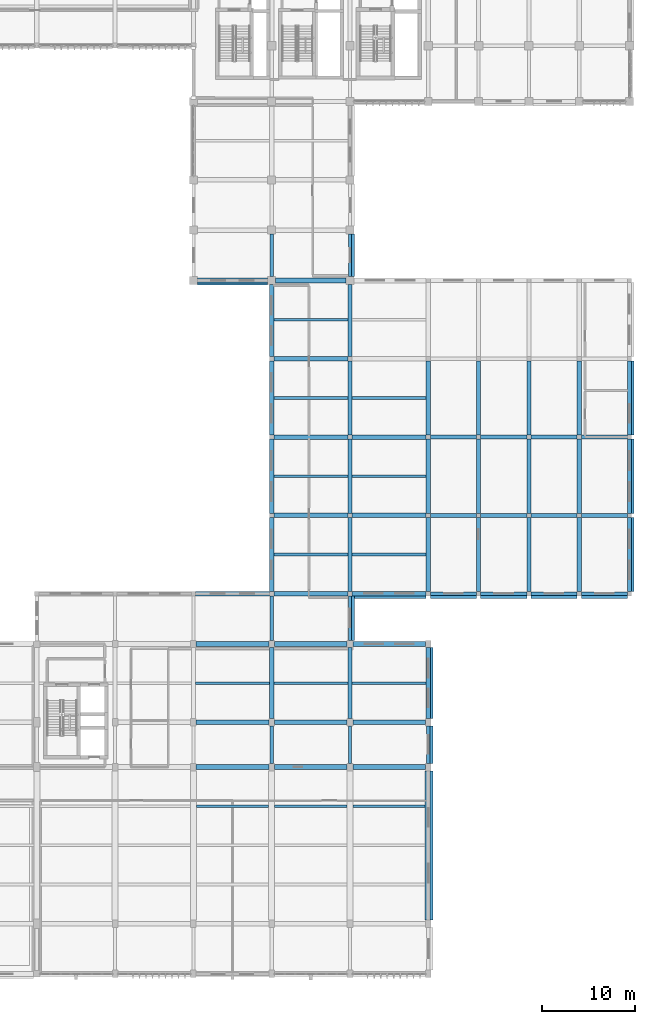
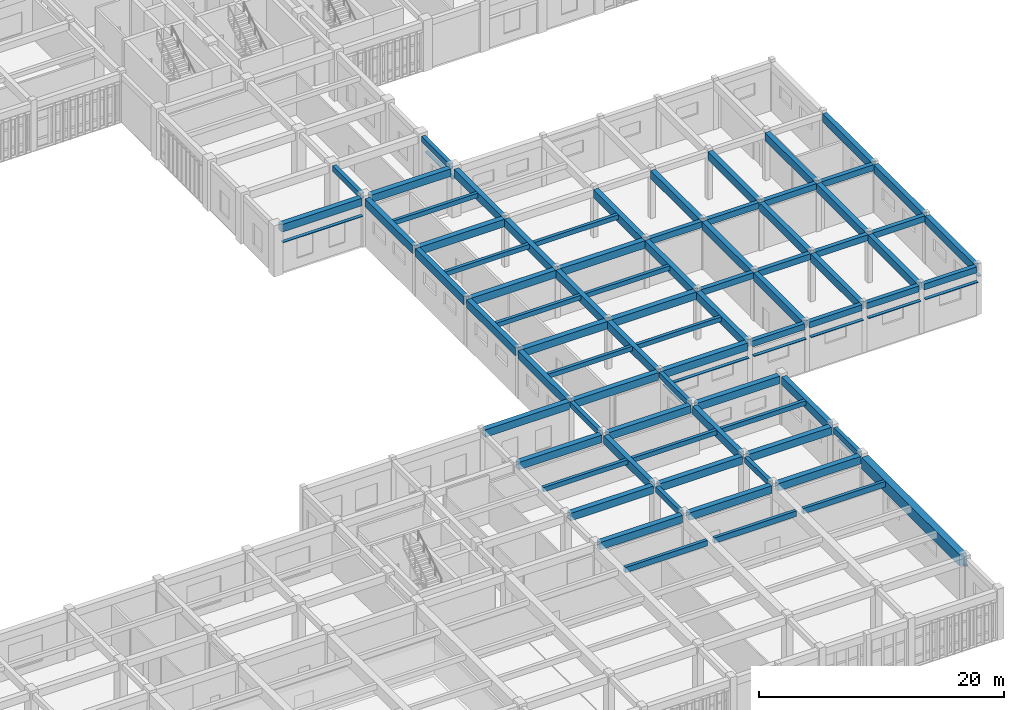
# One storey, part 57 of 106: 78 beams, 14 members.
"""IFC4 building model written with IfcOpenShell, lengths in metres."""

from ifc_helpers import new_model, si_unit, direction, frame, origin, origin_2d, place, context, subcontext, project, spatial, rectangle, hollow_rectangle, extrude, material, material_profile, profile_set, type_object, element, save


model = new_model("IFC4")

# Units and contexts
model_context = context("Model", 3, precision=1e-05, world=origin(), true_north=direction((0.0, 1.0)))
body_context = subcontext(model_context, "Body", "Model", "MODEL_VIEW")
ifc_project = project(units=[si_unit("LENGTHUNIT", "METRE"), si_unit("AREAUNIT", "SQUARE_METRE"), si_unit("VOLUMEUNIT", "CUBIC_METRE"), si_unit("PLANEANGLEUNIT", "RADIAN"), si_unit("MASSUNIT", "GRAM", prefix="KILO")], contexts=[model_context])

# Site, building, storey
site_placement = place(None, origin())
site = spatial("IfcSite", under=ifc_project, at=site_placement, CompositionType="ELEMENT")
building_placement = place(site_placement, origin())
building = spatial("IfcBuilding", under=site, at=building_placement, Name="Krzemoval Escarpment Law Courts", CompositionType="ELEMENT")
storey_placement = place(building_placement, frame((0.0, 0.0, 5.10009765625)))
storey = spatial("IfcBuildingStorey", under=building, at=storey_placement, Name="L01", CompositionType="ELEMENT", Elevation=5.10009765625)

# Beams
ifc_material_1 = material(Name="Concrete C50/60", Category="concrete")
ifc_material_profile_1 = material_profile(ifc_material_1, rectangle(XDim=0.64990234375, YDim=1.14990234375, at=origin_2d()), Name="PTG 650x1150")
ifc_profile_set_1 = profile_set([ifc_material_profile_1], Name="Concrete C50/60")
beam_type_1 = type_object("IfcBeamType", Name="BM-PTG-650x1150", PredefinedType="BEAM", material=ifc_profile_set_1)
beam_1_placement = place(storey_placement, frame((151.199951171875, 5.800048828125, 4.244873046875), z_axis=(0.0, 1.0, 0.0), x_axis=(-1.0, 0.0, 0.0)))
element("IfcBeam", 1, at=beam_1_placement, inside=storey, type_object=beam_type_1, Name="Beam FG-L01-1553", PredefinedType="BEAM", context=body_context, shape_type="SweptSolid", body=[
    extrude(rectangle(XDim=0.64990234375, YDim=1.14990234375, at=origin_2d()), origin(), (0.0, 0.0, 1.0), 16.0),
])
ifc_material_2 = material(Name="Concrete C40/50", Category="concrete")
ifc_material_profile_2 = material_profile(ifc_material_2, rectangle(XDim=0.35009765625, YDim=0.550048828125, at=origin_2d()), Name="RCB 350x550")
ifc_profile_set_2 = profile_set([ifc_material_profile_2], Name="Concrete C40/50")
beam_type_2 = type_object("IfcBeamType", Name="BM-RC-350x550", PredefinedType="BEAM", material=ifc_profile_set_2)
beam_2_placement = place(storey_placement, frame((134.39990234375, 22.60009765625, 4.544921875), z_axis=(0.0, 1.0, 0.0), x_axis=(-1.0, 0.0, 0.0)))
element("IfcBeam", 2, at=beam_2_placement, inside=storey, type_object=beam_type_2, Name="Beam FG-L01-1522", PredefinedType="BEAM", context=body_context, shape_type="SweptSolid", body=[
    extrude(rectangle(XDim=0.35009765625, YDim=0.550048828125, at=origin_2d()), origin(), (0.0, 0.0, 1.0), 4.0),
])
beam_3_placement = place(storey_placement, frame((134.39990234375, 35.800048828125, 4.544921875), z_axis=(0.0, 1.0, 0.0), x_axis=(-1.0, 0.0, 0.0)))
element("IfcBeam", 3, at=beam_3_placement, inside=storey, type_object=beam_type_2, Name="Beam FG-L01-1524", PredefinedType="BEAM", context=body_context, shape_type="SweptSolid", body=[
    extrude(rectangle(XDim=0.35009765625, YDim=0.550048828125, at=origin_2d()), origin(), (0.0, 0.0, 1.0), 4.77490234375),
])
beam_4_placement = place(storey_placement, frame((134.39990234375, 74.824951171875, 4.544921875), z_axis=(0.0, 1.0, 0.0), x_axis=(-1.0, 0.0, 0.0)))
element("IfcBeam", 4, at=beam_4_placement, inside=storey, type_object=beam_type_2, Name="Beam FG-L01-1529", PredefinedType="BEAM", context=body_context, shape_type="SweptSolid", body=[
    extrude(rectangle(XDim=0.35009765625, YDim=0.550048828125, at=origin_2d()), origin(), (0.0, 0.0, 1.0), 4.550048828125),
])
beam_5_placement = place(storey_placement, frame((142.800048828125, 22.60009765625, 4.544921875), z_axis=(0.0, 1.0, 0.0), x_axis=(-1.0, 0.0, 0.0)))
element("IfcBeam", 5, at=beam_5_placement, inside=storey, type_object=beam_type_2, Name="Beam FG-L01-1538", PredefinedType="BEAM", context=body_context, shape_type="SweptSolid", body=[
    extrude(rectangle(XDim=0.35009765625, YDim=0.550048828125, at=origin_2d()), origin(), (0.0, 0.0, 1.0), 4.0),
])
beam_6_placement = place(storey_placement, frame((142.800048828125, 35.800048828125, 4.544921875), z_axis=(0.0, 1.0, 0.0), x_axis=(-1.0, 0.0, 0.0)))
element("IfcBeam", 6, at=beam_6_placement, inside=storey, type_object=beam_type_2, Name="Beam FG-L01-1540", PredefinedType="BEAM", context=body_context, shape_type="SweptSolid", body=[
    extrude(rectangle(XDim=0.35009765625, YDim=0.550048828125, at=origin_2d()), origin(), (0.0, 0.0, 1.0), 4.77490234375),
])
beam_7_placement = place(storey_placement, frame((142.800048828125, 74.824951171875, 4.544921875), z_axis=(0.0, 1.0, 0.0), x_axis=(-1.0, 0.0, 0.0)))
element("IfcBeam", 7, at=beam_7_placement, inside=storey, type_object=beam_type_2, Name="Beam FG-L01-1545", PredefinedType="BEAM", context=body_context, shape_type="SweptSolid", body=[
    extrude(rectangle(XDim=0.35009765625, YDim=0.550048828125, at=origin_2d()), origin(), (0.0, 0.0, 1.0), 4.550048828125),
])
beam_8_placement = place(storey_placement, frame((151.199951171875, 22.60009765625, 4.544921875), z_axis=(0.0, 1.0, 0.0), x_axis=(-1.0, 0.0, 0.0)))
element("IfcBeam", 8, at=beam_8_placement, inside=storey, type_object=beam_type_2, Name="Beam FG-L01-1554", PredefinedType="BEAM", context=body_context, shape_type="SweptSolid", body=[
    extrude(rectangle(XDim=0.35009765625, YDim=0.550048828125, at=origin_2d()), origin(), (0.0, 0.0, 1.0), 4.0),
])
ifc_material_3 = material(Name="Concrete C40/50", Category="concrete")
ifc_material_profile_3 = material_profile(ifc_material_3, rectangle(XDim=0.39990234375, YDim=0.60009765625, at=origin_2d()), Name="RCB 400x600")
ifc_profile_set_3 = profile_set([ifc_material_profile_3], Name="Concrete C40/50")
beam_type_3 = type_object("IfcBeamType", Name="BM-RC-400x600", PredefinedType="BEAM", material=ifc_profile_set_3)
for number, where, z_axis, x_axis, name in (
    (9, (151.425048828125, 40.800048828125, 4.52001953125), (1.0, 0.0, 0.0), (0.0, 1.0, 0.0), "Beam FG-L01-1241"),
    (10, (156.824951171875, 40.800048828125, 4.52001953125), (1.0, 0.0, 0.0), (0.0, 1.0, 0.0), "Beam FG-L01-1242"),
    (11, (162.22509765625, 40.800048828125, 4.52001953125), (1.0, 0.0, 0.0), (0.0, 1.0, 0.0), "Beam FG-L01-1243"),
    (12, (167.625, 40.800048828125, 4.52001953125), (1.0, 0.0, 0.0), (0.0, 1.0, 0.0), "Beam FG-L01-1244"),
    (13, (151.425048828125, 49.199951171875, 4.52001953125), (1.0, 0.0, 0.0), (0.0, 1.0, 0.0), "Beam FG-L01-1251"),
    (14, (156.824951171875, 49.199951171875, 4.52001953125), (1.0, 0.0, 0.0), (0.0, 1.0, 0.0), "Beam FG-L01-1252"),
    (15, (162.22509765625, 49.199951171875, 4.52001953125), (1.0, 0.0, 0.0), (0.0, 1.0, 0.0), "Beam FG-L01-1253"),
    (16, (167.625, 49.199951171875, 4.52001953125), (1.0, 0.0, 0.0), (0.0, 1.0, 0.0), "Beam FG-L01-1254"),
    (17, (151.425048828125, 57.60009765625, 4.52001953125), (1.0, 0.0, 0.0), (0.0, 1.0, 0.0), "Beam FG-L01-1259"),
    (18, (156.824951171875, 57.60009765625, 4.52001953125), (1.0, 0.0, 0.0), (0.0, 1.0, 0.0), "Beam FG-L01-1260"),
    (19, (162.22509765625, 57.60009765625, 4.52001953125), (1.0, 0.0, 0.0), (0.0, 1.0, 0.0), "Beam FG-L01-1261"),
    (20, (167.625, 57.60009765625, 4.52001953125), (1.0, 0.0, 0.0), (0.0, 1.0, 0.0), "Beam FG-L01-1262"),
):
    element("IfcBeam", number, at=place(storey_placement, frame(where, z_axis=z_axis, x_axis=x_axis)), inside=storey, type_object=beam_type_3, Name=name, PredefinedType="BEAM", context=body_context, shape_type="SweptSolid", body=[
        extrude(rectangle(XDim=0.39990234375, YDim=0.60009765625, at=origin_2d()), origin(), (0.0, 0.0, 1.0), 4.949951171875),
    ])
ifc_material_4 = material(Name="Concrete C40/50", Category="concrete")
ifc_material_profile_4 = material_profile(ifc_material_4, rectangle(XDim=0.449951171875, YDim=0.800048828125, at=origin_2d()), Name="RCB 450x800")
ifc_profile_set_4 = profile_set([ifc_material_profile_4], Name="Concrete C40/50")
beam_type_4 = type_object("IfcBeamType", Name="BM-RC-450x800", PredefinedType="BEAM", material=ifc_profile_set_4)
beam_9_placement = place(storey_placement, frame((134.39990234375, 27.39990234375, 4.419921875), z_axis=(0.0, 1.0, 0.0), x_axis=(-1.0, 0.0, 0.0)))
element("IfcBeam", 21, at=beam_9_placement, inside=storey, type_object=beam_type_4, Name="Beam FG-L01-1523", PredefinedType="BEAM", context=body_context, shape_type="SweptSolid", body=[
    extrude(rectangle(XDim=0.449951171875, YDim=0.800048828125, at=origin_2d()), origin(), (0.0, 0.0, 1.0), 7.60009765625),
])
beam_10_placement = place(storey_placement, frame((134.39990234375, 41.02490234375, 4.419921875), z_axis=(0.0, 1.0, 0.0), x_axis=(-1.0, 0.0, 0.0)))
element("IfcBeam", 22, at=beam_10_placement, inside=storey, type_object=beam_type_4, Name="Beam FG-L01-1525", PredefinedType="BEAM", context=body_context, shape_type="SweptSolid", body=[
    extrude(rectangle(XDim=0.449951171875, YDim=0.800048828125, at=origin_2d()), origin(), (0.0, 0.0, 1.0), 7.9501953125),
])
for number, where, z_axis, x_axis, name in (
    (23, (134.39990234375, 49.425048828125, 4.419921875), (0.0, 1.0, 0.0), (-1.0, 0.0, 0.0), "Beam FG-L01-1526"),
    (24, (134.39990234375, 57.824951171875, 4.419921875), (0.0, 1.0, 0.0), (-1.0, 0.0, 0.0), "Beam FG-L01-1527"),
):
    element("IfcBeam", number, at=place(storey_placement, frame(where, z_axis=z_axis, x_axis=x_axis)), inside=storey, type_object=beam_type_4, Name=name, PredefinedType="BEAM", context=body_context, shape_type="SweptSolid", body=[
        extrude(rectangle(XDim=0.449951171875, YDim=0.800048828125, at=origin_2d()), origin(), (0.0, 0.0, 1.0), 7.949951171875),
    ])
beam_11_placement = place(storey_placement, frame((134.39990234375, 66.22509765625, 4.419921875), z_axis=(0.0, 1.0, 0.0), x_axis=(-1.0, 0.0, 0.0)))
element("IfcBeam", 25, at=beam_11_placement, inside=storey, type_object=beam_type_4, Name="Beam FG-L01-1528", PredefinedType="BEAM", context=body_context, shape_type="SweptSolid", body=[
    extrude(rectangle(XDim=0.449951171875, YDim=0.800048828125, at=origin_2d()), origin(), (0.0, 0.0, 1.0), 7.75),
])
beam_12_placement = place(storey_placement, frame((142.800048828125, 27.39990234375, 4.419921875), z_axis=(0.0, 1.0, 0.0), x_axis=(-1.0, 0.0, 0.0)))
element("IfcBeam", 26, at=beam_12_placement, inside=storey, type_object=beam_type_4, Name="Beam FG-L01-1539", PredefinedType="BEAM", context=body_context, shape_type="SweptSolid", body=[
    extrude(rectangle(XDim=0.449951171875, YDim=0.800048828125, at=origin_2d()), origin(), (0.0, 0.0, 1.0), 7.60009765625),
])
beam_13_placement = place(storey_placement, frame((142.800048828125, 41.02490234375, 4.419921875), z_axis=(0.0, 1.0, 0.0), x_axis=(-1.0, 0.0, 0.0)))
element("IfcBeam", 27, at=beam_13_placement, inside=storey, type_object=beam_type_4, Name="Beam FG-L01-1541", PredefinedType="BEAM", context=body_context, shape_type="SweptSolid", body=[
    extrude(rectangle(XDim=0.449951171875, YDim=0.800048828125, at=origin_2d()), origin(), (0.0, 0.0, 1.0), 7.9501953125),
])
for number, where, z_axis, x_axis, name in (
    (28, (142.800048828125, 49.425048828125, 4.419921875), (0.0, 1.0, 0.0), (-1.0, 0.0, 0.0), "Beam FG-L01-1542"),
    (29, (142.800048828125, 57.824951171875, 4.419921875), (0.0, 1.0, 0.0), (-1.0, 0.0, 0.0), "Beam FG-L01-1543"),
):
    element("IfcBeam", number, at=place(storey_placement, frame(where, z_axis=z_axis, x_axis=x_axis)), inside=storey, type_object=beam_type_4, Name=name, PredefinedType="BEAM", context=body_context, shape_type="SweptSolid", body=[
        extrude(rectangle(XDim=0.449951171875, YDim=0.800048828125, at=origin_2d()), origin(), (0.0, 0.0, 1.0), 7.949951171875),
    ])
beam_14_placement = place(storey_placement, frame((142.800048828125, 66.22509765625, 4.419921875), z_axis=(0.0, 1.0, 0.0), x_axis=(-1.0, 0.0, 0.0)))
element("IfcBeam", 30, at=beam_14_placement, inside=storey, type_object=beam_type_4, Name="Beam FG-L01-1544", PredefinedType="BEAM", context=body_context, shape_type="SweptSolid", body=[
    extrude(rectangle(XDim=0.449951171875, YDim=0.800048828125, at=origin_2d()), origin(), (0.0, 0.0, 1.0), 7.75),
])
beam_15_placement = place(storey_placement, frame((151.199951171875, 27.39990234375, 4.419921875), z_axis=(0.0, 1.0, 0.0), x_axis=(-1.0, 0.0, 0.0)))
element("IfcBeam", 31, at=beam_15_placement, inside=storey, type_object=beam_type_4, Name="Beam FG-L01-1555", PredefinedType="BEAM", context=body_context, shape_type="SweptSolid", body=[
    extrude(rectangle(XDim=0.449951171875, YDim=0.800048828125, at=origin_2d()), origin(), (0.0, 0.0, 1.0), 7.60009765625),
])
beam_16_placement = place(storey_placement, frame((151.199951171875, 41.02490234375, 4.419921875), z_axis=(0.0, 1.0, 0.0), x_axis=(-1.0, 0.0, 0.0)))
element("IfcBeam", 32, at=beam_16_placement, inside=storey, type_object=beam_type_4, Name="Beam FG-L01-1556", PredefinedType="BEAM", context=body_context, shape_type="SweptSolid", body=[
    extrude(rectangle(XDim=0.449951171875, YDim=0.800048828125, at=origin_2d()), origin(), (0.0, 0.0, 1.0), 7.9501953125),
])
for number, where, z_axis, x_axis, name in (
    (33, (151.199951171875, 49.425048828125, 4.419921875), (0.0, 1.0, 0.0), (-1.0, 0.0, 0.0), "Beam FG-L01-1557"),
    (34, (151.199951171875, 57.824951171875, 4.419921875), (0.0, 1.0, 0.0), (-1.0, 0.0, 0.0), "Beam FG-L01-1558"),
):
    element("IfcBeam", number, at=place(storey_placement, frame(where, z_axis=z_axis, x_axis=x_axis)), inside=storey, type_object=beam_type_4, Name=name, PredefinedType="BEAM", context=body_context, shape_type="SweptSolid", body=[
        extrude(rectangle(XDim=0.449951171875, YDim=0.800048828125, at=origin_2d()), origin(), (0.0, 0.0, 1.0), 7.949951171875),
    ])
beam_17_placement = place(storey_placement, frame((156.60009765625, 41.02490234375, 4.419921875), z_axis=(0.0, 1.0, 0.0), x_axis=(-1.0, 0.0, 0.0)))
element("IfcBeam", 35, at=beam_17_placement, inside=storey, type_object=beam_type_4, Name="Beam FG-L01-1564", PredefinedType="BEAM", context=body_context, shape_type="SweptSolid", body=[
    extrude(rectangle(XDim=0.449951171875, YDim=0.800048828125, at=origin_2d()), origin(), (0.0, 0.0, 1.0), 7.9501953125),
])
for number, where, z_axis, x_axis, name in (
    (36, (156.60009765625, 49.425048828125, 4.419921875), (0.0, 1.0, 0.0), (-1.0, 0.0, 0.0), "Beam FG-L01-1565"),
    (37, (156.60009765625, 57.824951171875, 4.419921875), (0.0, 1.0, 0.0), (-1.0, 0.0, 0.0), "Beam FG-L01-1566"),
):
    element("IfcBeam", number, at=place(storey_placement, frame(where, z_axis=z_axis, x_axis=x_axis)), inside=storey, type_object=beam_type_4, Name=name, PredefinedType="BEAM", context=body_context, shape_type="SweptSolid", body=[
        extrude(rectangle(XDim=0.449951171875, YDim=0.800048828125, at=origin_2d()), origin(), (0.0, 0.0, 1.0), 7.949951171875),
    ])
beam_18_placement = place(storey_placement, frame((162.0, 41.02490234375, 4.419921875), z_axis=(0.0, 1.0, 0.0), x_axis=(-1.0, 0.0, 0.0)))
element("IfcBeam", 38, at=beam_18_placement, inside=storey, type_object=beam_type_4, Name="Beam FG-L01-1572", PredefinedType="BEAM", context=body_context, shape_type="SweptSolid", body=[
    extrude(rectangle(XDim=0.449951171875, YDim=0.800048828125, at=origin_2d()), origin(), (0.0, 0.0, 1.0), 7.9501953125),
])
for number, where, z_axis, x_axis, name in (
    (39, (162.0, 49.425048828125, 4.419921875), (0.0, 1.0, 0.0), (-1.0, 0.0, 0.0), "Beam FG-L01-1573"),
    (40, (162.0, 57.824951171875, 4.419921875), (0.0, 1.0, 0.0), (-1.0, 0.0, 0.0), "Beam FG-L01-1574"),
):
    element("IfcBeam", number, at=place(storey_placement, frame(where, z_axis=z_axis, x_axis=x_axis)), inside=storey, type_object=beam_type_4, Name=name, PredefinedType="BEAM", context=body_context, shape_type="SweptSolid", body=[
        extrude(rectangle(XDim=0.449951171875, YDim=0.800048828125, at=origin_2d()), origin(), (0.0, 0.0, 1.0), 7.949951171875),
    ])
beam_19_placement = place(storey_placement, frame((167.39990234375, 41.02490234375, 4.419921875), z_axis=(0.0, 1.0, 0.0), x_axis=(-1.0, 0.0, 0.0)))
element("IfcBeam", 41, at=beam_19_placement, inside=storey, type_object=beam_type_4, Name="Beam FG-L01-1580", PredefinedType="BEAM", context=body_context, shape_type="SweptSolid", body=[
    extrude(rectangle(XDim=0.449951171875, YDim=0.800048828125, at=origin_2d()), origin(), (0.0, 0.0, 1.0), 7.9501953125),
])
for number, where, z_axis, x_axis, name in (
    (42, (167.39990234375, 49.425048828125, 4.419921875), (0.0, 1.0, 0.0), (-1.0, 0.0, 0.0), "Beam FG-L01-1581"),
    (43, (167.39990234375, 57.824951171875, 4.419921875), (0.0, 1.0, 0.0), (-1.0, 0.0, 0.0), "Beam FG-L01-1582"),
):
    element("IfcBeam", number, at=place(storey_placement, frame(where, z_axis=z_axis, x_axis=x_axis)), inside=storey, type_object=beam_type_4, Name=name, PredefinedType="BEAM", context=body_context, shape_type="SweptSolid", body=[
        extrude(rectangle(XDim=0.449951171875, YDim=0.800048828125, at=origin_2d()), origin(), (0.0, 0.0, 1.0), 7.949951171875),
    ])
beam_20_placement = place(storey_placement, frame((172.800048828125, 41.02490234375, 4.419921875), z_axis=(0.0, 1.0, 0.0), x_axis=(-1.0, 0.0, 0.0)))
element("IfcBeam", 44, at=beam_20_placement, inside=storey, type_object=beam_type_4, Name="Beam FG-L01-1588", PredefinedType="BEAM", context=body_context, shape_type="SweptSolid", body=[
    extrude(rectangle(XDim=0.449951171875, YDim=0.800048828125, at=origin_2d()), origin(), (0.0, 0.0, 1.0), 7.9501953125),
])
for number, where, z_axis, x_axis, name in (
    (45, (172.800048828125, 49.425048828125, 4.419921875), (0.0, 1.0, 0.0), (-1.0, 0.0, 0.0), "Beam FG-L01-1589"),
    (46, (172.800048828125, 57.824951171875, 4.419921875), (0.0, 1.0, 0.0), (-1.0, 0.0, 0.0), "Beam FG-L01-1590"),
):
    element("IfcBeam", number, at=place(storey_placement, frame(where, z_axis=z_axis, x_axis=x_axis)), inside=storey, type_object=beam_type_4, Name=name, PredefinedType="BEAM", context=body_context, shape_type="SweptSolid", body=[
        extrude(rectangle(XDim=0.449951171875, YDim=0.800048828125, at=origin_2d()), origin(), (0.0, 0.0, 1.0), 7.949951171875),
    ])
ifc_material_5 = material(Name="Concrete C40/50", Category="concrete")
ifc_material_profile_5 = material_profile(ifc_material_5, rectangle(XDim=0.5, YDim=0.75, at=origin_2d()), Name="RCB 500x750")
ifc_profile_set_5 = profile_set([ifc_material_profile_5], Name="Concrete C40/50")
beam_type_5 = type_object("IfcBeamType", Name="BM-RC-500x750", PredefinedType="BEAM", material=ifc_profile_set_5)
for number, where, z_axis, x_axis, name in (
    (47, (126.300048828125, 22.199951171875, 4.44482421875), (1.0, 0.0, 0.0), (0.0, 1.0, 0.0), "Beam FG-L01-1196"),
    (48, (134.699951171875, 22.199951171875, 4.44482421875), (1.0, 0.0, 0.0), (0.0, 1.0, 0.0), "Beam FG-L01-1197"),
):
    element("IfcBeam", number, at=place(storey_placement, frame(where, z_axis=z_axis, x_axis=x_axis)), inside=storey, type_object=beam_type_5, Name=name, PredefinedType="BEAM", context=body_context, shape_type="SweptSolid", body=[
        extrude(rectangle(XDim=0.5, YDim=0.75, at=origin_2d()), origin(), (0.0, 0.0, 1.0), 7.800048828125),
    ])
beam_21_placement = place(storey_placement, frame((143.10009765625, 22.199951171875, 4.44482421875), z_axis=(1.0, 0.0, 0.0), x_axis=(0.0, 1.0, 0.0)))
element("IfcBeam", 49, at=beam_21_placement, inside=storey, type_object=beam_type_5, Name="Beam FG-L01-1198", PredefinedType="BEAM", context=body_context, shape_type="SweptSolid", body=[
    extrude(rectangle(XDim=0.5, YDim=0.75, at=origin_2d()), origin(), (0.0, 0.0, 1.0), 7.7998046875),
])
for number, where, z_axis, x_axis, name in (
    (50, (126.300048828125, 27.0, 4.44482421875), (1.0, 0.0, 0.0), (0.0, 1.0, 0.0), "Beam FG-L01-1212"),
    (51, (134.699951171875, 27.0, 4.44482421875), (1.0, 0.0, 0.0), (0.0, 1.0, 0.0), "Beam FG-L01-1213"),
):
    element("IfcBeam", number, at=place(storey_placement, frame(where, z_axis=z_axis, x_axis=x_axis)), inside=storey, type_object=beam_type_5, Name=name, PredefinedType="BEAM", context=body_context, shape_type="SweptSolid", body=[
        extrude(rectangle(XDim=0.5, YDim=0.75, at=origin_2d()), origin(), (0.0, 0.0, 1.0), 7.800048828125),
    ])
beam_22_placement = place(storey_placement, frame((143.10009765625, 27.0, 4.44482421875), z_axis=(1.0, 0.0, 0.0), x_axis=(0.0, 1.0, 0.0)))
element("IfcBeam", 52, at=beam_22_placement, inside=storey, type_object=beam_type_5, Name="Beam FG-L01-1214", PredefinedType="BEAM", context=body_context, shape_type="SweptSolid", body=[
    extrude(rectangle(XDim=0.5, YDim=0.75, at=origin_2d()), origin(), (0.0, 0.0, 1.0), 7.7998046875),
])
for number, where, z_axis, x_axis, name in (
    (53, (126.300048828125, 35.39990234375, 4.44482421875), (1.0, 0.0, 0.0), (0.0, 1.0, 0.0), "Beam FG-L01-1230"),
    (54, (134.699951171875, 35.39990234375, 4.44482421875), (1.0, 0.0, 0.0), (0.0, 1.0, 0.0), "Beam FG-L01-1231"),
):
    element("IfcBeam", number, at=place(storey_placement, frame(where, z_axis=z_axis, x_axis=x_axis)), inside=storey, type_object=beam_type_5, Name=name, PredefinedType="BEAM", context=body_context, shape_type="SweptSolid", body=[
        extrude(rectangle(XDim=0.5, YDim=0.75, at=origin_2d()), origin(), (0.0, 0.0, 1.0), 7.800048828125),
    ])
beam_23_placement = place(storey_placement, frame((143.10009765625, 35.39990234375, 4.44482421875), z_axis=(1.0, 0.0, 0.0), x_axis=(0.0, 1.0, 0.0)))
element("IfcBeam", 55, at=beam_23_placement, inside=storey, type_object=beam_type_5, Name="Beam FG-L01-1232", PredefinedType="BEAM", context=body_context, shape_type="SweptSolid", body=[
    extrude(rectangle(XDim=0.5, YDim=0.75, at=origin_2d()), origin(), (0.0, 0.0, 1.0), 7.7998046875),
])
for number, where, z_axis, x_axis, name in (
    (56, (126.22509765625, 40.800048828125, 4.44482421875), (1.0, 0.0, 0.0), (0.0, 1.0, 0.0), "Beam FG-L01-1238"),
    (57, (134.625, 40.800048828125, 4.44482421875), (1.0, 0.0, 0.0), (0.0, 1.0, 0.0), "Beam FG-L01-1239"),
):
    element("IfcBeam", number, at=place(storey_placement, frame(where, z_axis=z_axis, x_axis=x_axis)), inside=storey, type_object=beam_type_5, Name=name, PredefinedType="BEAM", context=body_context, shape_type="SweptSolid", body=[
        extrude(rectangle(XDim=0.5, YDim=0.75, at=origin_2d()), origin(), (0.0, 0.0, 1.0), 7.949951171875),
    ])
beam_24_placement = place(storey_placement, frame((143.02490234375, 40.800048828125, 4.44482421875), z_axis=(1.0, 0.0, 0.0), x_axis=(0.0, 1.0, 0.0)))
element("IfcBeam", 58, at=beam_24_placement, inside=storey, type_object=beam_type_5, Name="Beam FG-L01-1240", PredefinedType="BEAM", context=body_context, shape_type="SweptSolid", body=[
    extrude(rectangle(XDim=0.5, YDim=0.75, at=origin_2d()), origin(), (0.0, 0.0, 1.0), 7.9501953125),
])
beam_25_placement = place(storey_placement, frame((134.625, 49.199951171875, 4.44482421875), z_axis=(1.0, 0.0, 0.0), x_axis=(0.0, 1.0, 0.0)))
element("IfcBeam", 59, at=beam_25_placement, inside=storey, type_object=beam_type_5, Name="Beam FG-L01-1249", PredefinedType="BEAM", context=body_context, shape_type="SweptSolid", body=[
    extrude(rectangle(XDim=0.5, YDim=0.75, at=origin_2d()), origin(), (0.0, 0.0, 1.0), 7.949951171875),
])
beam_26_placement = place(storey_placement, frame((143.02490234375, 49.199951171875, 4.44482421875), z_axis=(1.0, 0.0, 0.0), x_axis=(0.0, 1.0, 0.0)))
element("IfcBeam", 60, at=beam_26_placement, inside=storey, type_object=beam_type_5, Name="Beam FG-L01-1250", PredefinedType="BEAM", context=body_context, shape_type="SweptSolid", body=[
    extrude(rectangle(XDim=0.5, YDim=0.75, at=origin_2d()), origin(), (0.0, 0.0, 1.0), 7.9501953125),
])
beam_27_placement = place(storey_placement, frame((134.625, 57.60009765625, 4.44482421875), z_axis=(1.0, 0.0, 0.0), x_axis=(0.0, 1.0, 0.0)))
element("IfcBeam", 61, at=beam_27_placement, inside=storey, type_object=beam_type_5, Name="Beam FG-L01-1257", PredefinedType="BEAM", context=body_context, shape_type="SweptSolid", body=[
    extrude(rectangle(XDim=0.5, YDim=0.75, at=origin_2d()), origin(), (0.0, 0.0, 1.0), 7.949951171875),
])
beam_28_placement = place(storey_placement, frame((143.02490234375, 57.60009765625, 4.44482421875), z_axis=(1.0, 0.0, 0.0), x_axis=(0.0, 1.0, 0.0)))
element("IfcBeam", 62, at=beam_28_placement, inside=storey, type_object=beam_type_5, Name="Beam FG-L01-1258", PredefinedType="BEAM", context=body_context, shape_type="SweptSolid", body=[
    extrude(rectangle(XDim=0.5, YDim=0.75, at=origin_2d()), origin(), (0.0, 0.0, 1.0), 7.9501953125),
])
beam_29_placement = place(storey_placement, frame((134.625, 66.0, 4.44482421875), z_axis=(1.0, 0.0, 0.0), x_axis=(0.0, 1.0, 0.0)))
element("IfcBeam", 63, at=beam_29_placement, inside=storey, type_object=beam_type_5, Name="Beam FG-L01-1265", PredefinedType="BEAM", context=body_context, shape_type="SweptSolid", body=[
    extrude(rectangle(XDim=0.5, YDim=0.75, at=origin_2d()), origin(), (0.0, 0.0, 1.0), 7.949951171875),
])
for number, where, z_axis, x_axis, name in (
    (64, (126.425048828125, 74.39990234375, 4.44482421875), (1.0, 0.0, 0.0), (0.0, 1.0, 0.0), "Beam FG-L01-1273"),
    (65, (134.824951171875, 74.39990234375, 4.44482421875), (1.0, 0.0, 0.0), (0.0, 1.0, 0.0), "Beam FG-L01-1274"),
):
    element("IfcBeam", number, at=place(storey_placement, frame(where, z_axis=z_axis, x_axis=x_axis)), inside=storey, type_object=beam_type_5, Name=name, PredefinedType="BEAM", context=body_context, shape_type="SweptSolid", body=[
        extrude(rectangle(XDim=0.5, YDim=0.75, at=origin_2d()), origin(), (0.0, 0.0, 1.0), 7.550048828125),
    ])
ifc_material_6 = material(Name="Concrete C40/50", Category="concrete")
ifc_material_profile_6 = material_profile(ifc_material_6, rectangle(XDim=0.300048828125, YDim=0.449951171875, at=origin_2d()), Name="RCB 300x450")
ifc_profile_set_6 = profile_set([ifc_material_profile_6], Name="Concrete C40/50")
beam_type_6 = type_object("IfcBeamType", Name="JST-RC-300x450", PredefinedType="JOIST", material=ifc_profile_set_6)
for number, where, z_axis, x_axis, name in (
    (66, (126.22509765625, 31.199951171875, 4.594970703125), (1.0, 0.0, 0.0), (0.0, 1.0, 0.0), "Secondary Joist FJ-L01-1684"),
    (67, (134.625, 31.199951171875, 4.594970703125), (1.0, 0.0, 0.0), (0.0, 1.0, 0.0), "Secondary Joist FJ-L01-1689"),
    (68, (134.625, 45.0, 4.594970703125), (1.0, 0.0, 0.0), (0.0, 1.0, 0.0), "Secondary Joist FJ-L01-1690"),
    (69, (134.625, 53.39990234375, 4.594970703125), (1.0, 0.0, 0.0), (0.0, 1.0, 0.0), "Secondary Joist FJ-L01-1691"),
    (70, (134.625, 61.800048828125, 4.594970703125), (1.0, 0.0, 0.0), (0.0, 1.0, 0.0), "Secondary Joist FJ-L01-1692"),
    (71, (134.625, 70.199951171875, 4.594970703125), (1.0, 0.0, 0.0), (0.0, 1.0, 0.0), "Secondary Joist FJ-L01-1693"),
):
    element("IfcBeam", number, at=place(storey_placement, frame(where, z_axis=z_axis, x_axis=x_axis)), inside=storey, type_object=beam_type_6, Name=name, PredefinedType="JOIST", context=body_context, shape_type="SweptSolid", body=[
        extrude(rectangle(XDim=0.300048828125, YDim=0.449951171875, at=origin_2d()), origin(), (0.0, 0.0, 1.0), 7.949951171875),
    ])
for number, where, z_axis, x_axis, name in (
    (72, (143.02490234375, 31.199951171875, 4.594970703125), (1.0, 0.0, 0.0), (0.0, 1.0, 0.0), "Secondary Joist FJ-L01-1698"),
    (73, (143.02490234375, 45.0, 4.594970703125), (1.0, 0.0, 0.0), (0.0, 1.0, 0.0), "Secondary Joist FJ-L01-1699"),
    (74, (143.02490234375, 53.39990234375, 4.594970703125), (1.0, 0.0, 0.0), (0.0, 1.0, 0.0), "Secondary Joist FJ-L01-1700"),
    (75, (143.02490234375, 61.800048828125, 4.594970703125), (1.0, 0.0, 0.0), (0.0, 1.0, 0.0), "Secondary Joist FJ-L01-1701"),
):
    element("IfcBeam", number, at=place(storey_placement, frame(where, z_axis=z_axis, x_axis=x_axis)), inside=storey, type_object=beam_type_6, Name=name, PredefinedType="JOIST", context=body_context, shape_type="SweptSolid", body=[
        extrude(rectangle(XDim=0.300048828125, YDim=0.449951171875, at=origin_2d()), origin(), (0.0, 0.0, 1.0), 7.9501953125),
    ])
ifc_material_7 = material(Name="Concrete C40/50", Category="concrete")
ifc_material_profile_7 = material_profile(ifc_material_7, rectangle(XDim=0.300048828125, YDim=0.550048828125, at=origin_2d()), Name="RCB 300x550")
ifc_profile_set_7 = profile_set([ifc_material_profile_7], Name="Concrete C40/50")
beam_type_7 = type_object("IfcBeamType", Name="JST-RC-300x550", PredefinedType="JOIST", material=ifc_profile_set_7)
for number, where, z_axis, x_axis, name in (
    (76, (126.324951171875, 18.0, 4.544921875), (1.0, 0.0, 0.0), (0.0, 1.0, 0.0), "Secondary Joist FJ-L01-1683"),
    (77, (134.72509765625, 18.0, 4.544921875), (1.0, 0.0, 0.0), (0.0, 1.0, 0.0), "Secondary Joist FJ-L01-1688"),
    (78, (143.125, 18.0, 4.544921875), (1.0, 0.0, 0.0), (0.0, 1.0, 0.0), "Secondary Joist FJ-L01-1697"),
):
    element("IfcBeam", number, at=place(storey_placement, frame(where, z_axis=z_axis, x_axis=x_axis)), inside=storey, type_object=beam_type_7, Name=name, PredefinedType="JOIST", context=body_context, shape_type="SweptSolid", body=[
        extrude(rectangle(XDim=0.300048828125, YDim=0.550048828125, at=origin_2d()), origin(), (0.0, 0.0, 1.0), 7.75),
    ])

# Members
ifc_material_8 = material(Name="Anodised Aluminium Alloy 6063-T6", Category="aluminium")
ifc_material_profile_8 = material_profile(ifc_material_8, hollow_rectangle(XDim=0.06005859375, YDim=0.320068359375, WallThickness=0.00390625, at=origin_2d()), Name="ALU LVR 60x320")
ifc_profile_set_8 = profile_set([ifc_material_profile_8], Name="Anodised Aluminium Alloy 6063-T6")
member_type = type_object("IfcMemberType", Name="LVR-ALU-320", PredefinedType="USERDEFINED", material=ifc_profile_set_8)
member_1_placement = place(storey_placement, frame((143.10009765625, 79.375, 3.159912109375), z_axis=(0.0, -1.0, 0.0), x_axis=(0.0, 0.0, 1.0)))
element("IfcMember", 79, at=member_1_placement, inside=storey, type_object=member_type, Name="Window Sunshade Louvre FLV-L01-0127", ObjectType="SUNSHADE_LOUVRE", PredefinedType="USERDEFINED", context=body_context, shape_type="SweptSolid", body=[
    extrude(hollow_rectangle(XDim=0.06005859375, YDim=0.320068359375, WallThickness=0.00390625, at=origin_2d()), origin(), (0.0, 0.0, 1.0), 4.550048828125),
])
for number, where, z_axis, x_axis, name in (
    (80, (173.139892578125, 65.77490234375, 3.4599609375), (0.0, -1.0, 0.0), (0.0, 0.0, 1.0), "Window Sunshade Louvre FLV-L01-0129"),
    (81, (173.139892578125, 57.375, 3.4599609375), (0.0, -1.0, 0.0), (0.0, 0.0, 1.0), "Window Sunshade Louvre FLV-L01-0130"),
):
    element("IfcMember", number, at=place(storey_placement, frame(where, z_axis=z_axis, x_axis=x_axis)), inside=storey, type_object=member_type, Name=name, ObjectType="SUNSHADE_LOUVRE", PredefinedType="USERDEFINED", context=body_context, shape_type="SweptSolid", body=[
        extrude(hollow_rectangle(XDim=0.06005859375, YDim=0.320068359375, WallThickness=0.00390625, at=origin_2d()), origin(), (0.0, 0.0, 1.0), 7.949951171875),
    ])
member_2_placement = place(storey_placement, frame((173.139892578125, 48.97509765625, 3.4599609375), z_axis=(0.0, -1.0, 0.0), x_axis=(0.0, 0.0, 1.0)))
element("IfcMember", 82, at=member_2_placement, inside=storey, type_object=member_type, Name="Window Sunshade Louvre FLV-L01-0131", ObjectType="SUNSHADE_LOUVRE", PredefinedType="USERDEFINED", context=body_context, shape_type="SweptSolid", body=[
    extrude(hollow_rectangle(XDim=0.06005859375, YDim=0.320068359375, WallThickness=0.00390625, at=origin_2d()), origin(), (0.0, 0.0, 1.0), 7.9501953125),
])
for number, where, z_axis, x_axis, name in (
    (83, (172.574951171875, 40.4599609375, 3.4599609375), (-1.0, 0.0, 0.0), (0.0, 0.0, 1.0), "Window Sunshade Louvre FLV-L01-0132"),
    (84, (167.175048828125, 40.4599609375, 3.4599609375), (-1.0, 0.0, 0.0), (0.0, 0.0, 1.0), "Window Sunshade Louvre FLV-L01-0133"),
    (85, (161.77490234375, 40.4599609375, 3.4599609375), (-1.0, 0.0, 0.0), (0.0, 0.0, 1.0), "Window Sunshade Louvre FLV-L01-0134"),
    (86, (156.375, 40.4599609375, 3.4599609375), (-1.0, 0.0, 0.0), (0.0, 0.0, 1.0), "Window Sunshade Louvre FLV-L01-0135"),
):
    element("IfcMember", number, at=place(storey_placement, frame(where, z_axis=z_axis, x_axis=x_axis)), inside=storey, type_object=member_type, Name=name, ObjectType="SUNSHADE_LOUVRE", PredefinedType="USERDEFINED", context=body_context, shape_type="SweptSolid", body=[
        extrude(hollow_rectangle(XDim=0.06005859375, YDim=0.320068359375, WallThickness=0.00390625, at=origin_2d()), origin(), (0.0, 0.0, 1.0), 4.949951171875),
    ])
member_3_placement = place(storey_placement, frame((150.97509765625, 40.4599609375, 3.4599609375), z_axis=(-1.0, 0.0, 0.0), x_axis=(0.0, 0.0, 1.0)))
element("IfcMember", 87, at=member_3_placement, inside=storey, type_object=member_type, Name="Window Sunshade Louvre FLV-L01-0136", ObjectType="SUNSHADE_LOUVRE", PredefinedType="USERDEFINED", context=body_context, shape_type="SweptSolid", body=[
    extrude(hollow_rectangle(XDim=0.06005859375, YDim=0.320068359375, WallThickness=0.00390625, at=origin_2d()), origin(), (0.0, 0.0, 1.0), 7.9501953125),
])
member_4_placement = place(storey_placement, frame((143.139892578125, 40.574951171875, 3.4599609375), z_axis=(0.0, -1.0, 0.0), x_axis=(0.0, 0.0, 1.0)))
element("IfcMember", 88, at=member_4_placement, inside=storey, type_object=member_type, Name="Window Sunshade Louvre FLV-L01-0137", ObjectType="SUNSHADE_LOUVRE", PredefinedType="USERDEFINED", context=body_context, shape_type="SweptSolid", body=[
    extrude(hollow_rectangle(XDim=0.06005859375, YDim=0.320068359375, WallThickness=0.00390625, at=origin_2d()), origin(), (0.0, 0.0, 1.0), 4.77490234375),
])
member_5_placement = place(storey_placement, frame((151.5400390625, 35.0, 3.4599609375), z_axis=(0.0, -1.0, 0.0), x_axis=(0.0, 0.0, 1.0)))
element("IfcMember", 89, at=member_5_placement, inside=storey, type_object=member_type, Name="Window Sunshade Louvre FLV-L01-0138", ObjectType="SUNSHADE_LOUVRE", PredefinedType="USERDEFINED", context=body_context, shape_type="SweptSolid", body=[
    extrude(hollow_rectangle(XDim=0.06005859375, YDim=0.320068359375, WallThickness=0.00390625, at=origin_2d()), origin(), (0.0, 0.0, 1.0), 7.60009765625),
])
member_6_placement = place(storey_placement, frame((151.5400390625, 26.60009765625, 3.4599609375), z_axis=(0.0, -1.0, 0.0), x_axis=(0.0, 0.0, 1.0)))
element("IfcMember", 90, at=member_6_placement, inside=storey, type_object=member_type, Name="Window Sunshade Louvre FLV-L01-0139", ObjectType="SUNSHADE_LOUVRE", PredefinedType="USERDEFINED", context=body_context, shape_type="SweptSolid", body=[
    extrude(hollow_rectangle(XDim=0.06005859375, YDim=0.320068359375, WallThickness=0.00390625, at=origin_2d()), origin(), (0.0, 0.0, 1.0), 4.0),
])
member_7_placement = place(storey_placement, frame((151.5400390625, 21.800048828125, 3.4599609375), z_axis=(0.0, -1.0, 0.0), x_axis=(0.0, 0.0, 1.0)))
element("IfcMember", 91, at=member_7_placement, inside=storey, type_object=member_type, Name="Window Sunshade Louvre FLV-L01-0140", ObjectType="SUNSHADE_LOUVRE", PredefinedType="USERDEFINED", context=body_context, shape_type="SweptSolid", body=[
    extrude(hollow_rectangle(XDim=0.06005859375, YDim=0.320068359375, WallThickness=0.00390625, at=origin_2d()), origin(), (0.0, 0.0, 1.0), 16.0),
])
member_8_placement = place(storey_placement, frame((133.97509765625, 74.10009765625, 3.159912109375), z_axis=(-1.0, 0.0, 0.0), x_axis=(0.0, 0.0, 1.0)))
element("IfcMember", 92, at=member_8_placement, inside=storey, type_object=member_type, Name="Window Sunshade Louvre FLV-L01-0168", ObjectType="SUNSHADE_LOUVRE", PredefinedType="USERDEFINED", context=body_context, shape_type="SweptSolid", body=[
    extrude(hollow_rectangle(XDim=0.06005859375, YDim=0.320068359375, WallThickness=0.00390625, at=origin_2d()), origin(), (0.0, 0.0, 1.0), 7.550048828125),
])

save(model, "model.ifc")
